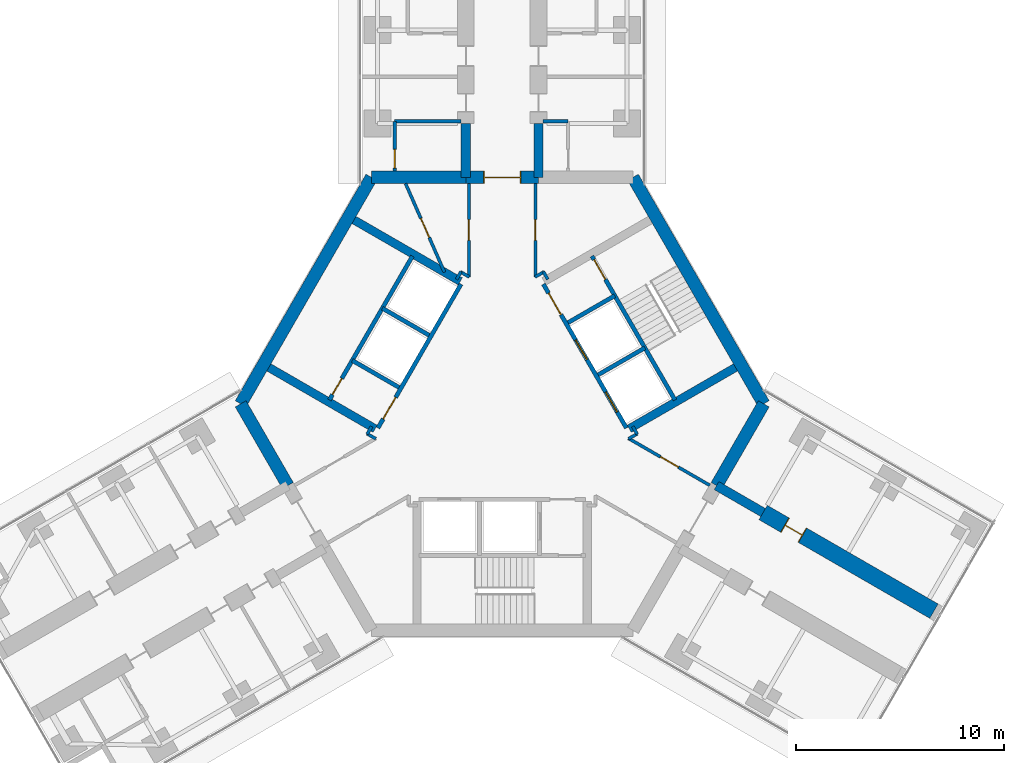
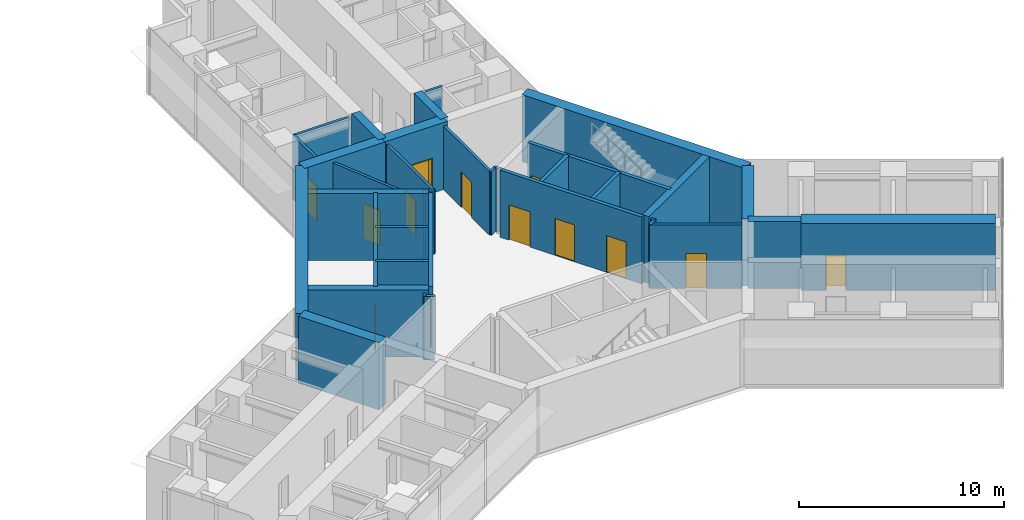
# One storey, part 19 of 22: 36 walls, 13 doors, 13 openings.
"""IFC4 building model written with IfcOpenShell, lengths in metres."""

from ifc_helpers import new_model, si_unit, direction, frame, frame_2d, origin, place, context, subcontext, project, spatial, rectangle, extrude, material, layer, layer_set, type_object, element, fill, save


model = new_model("IFC4")

# Units and contexts
model_context = context("Model", 3, precision=1e-05, world=origin(), true_north=direction((0.0, 1.0)))
body_context = subcontext(model_context, "Body", "Model", "MODEL_VIEW")
ifc_project = project(units=[si_unit("LENGTHUNIT", "METRE"), si_unit("AREAUNIT", "SQUARE_METRE"), si_unit("VOLUMEUNIT", "CUBIC_METRE"), si_unit("PLANEANGLEUNIT", "RADIAN"), si_unit("MASSUNIT", "GRAM", prefix="KILO")], contexts=[model_context])

# Site, building, storey
site_placement = place(None, origin())
site = spatial("IfcSite", under=ifc_project, at=site_placement, CompositionType="ELEMENT")
building_placement = place(site_placement, origin())
building = spatial("IfcBuilding", under=site, at=building_placement, Name="Upepo Twin Towers", CompositionType="ELEMENT")
storey_placement = place(building_placement, frame((0.0, 0.0, 125.5)))
storey = spatial("IfcBuildingStorey", under=building, at=storey_placement, Name="L30", CompositionType="ELEMENT", Elevation=125.5)

# Walls
ifc_material_1 = material(Name="Concrete C60/75", Category="concrete")
ifc_layer_1 = layer(ifc_material_1, 0.449951171875)
ifc_layer_set_1 = layer_set([ifc_layer_1], Name="Concrete C60/75")
wall_type_1 = type_object("IfcWallType", Name="Buttress wall 450 RC", PredefinedType="SHEAR", material=ifc_layer_set_1)
for number, where, z_axis, x_axis, name in (
    (1, (56.75, -7.091552734375, 0.0), (0.0, 0.0, 1.0), (0.0, 1.0, 0.0), "T2 wing A buttress wall L"),
    (2, (60.25, -7.091552734375, 0.0), (0.0, 0.0, 1.0), (0.0, 1.0, 0.0), "T2 wing A buttress wall R"),
):
    element("IfcWall", number, at=place(storey_placement, frame(where, z_axis=z_axis, x_axis=x_axis)), inside=storey, type_object=wall_type_1, Name=name, PredefinedType="SHEAR", context=body_context, shape_type="SweptSolid", body=[
        extrude(rectangle(XDim=2.591552734375, YDim=0.449951171875, at=frame_2d((1.2958984375, 0.0))), origin(), (0.0, 0.0, 1.0), 4.0),
    ])
wall_1_placement = place(storey_placement, frame((68.82177734375, -21.938720703125, 0.0), z_axis=(0.0, 0.0, 1.0), x_axis=(0.866072649678, -0.499918158782, 0.0)))
element("IfcWall", 3, at=wall_1_placement, inside=storey, type_object=wall_type_1, Name="T2 wing C buttress wall L", PredefinedType="SHEAR", context=body_context, shape_type="SweptSolid", body=[
    extrude(rectangle(XDim=2.591796875, YDim=0.449951171875, at=frame_2d((1.2958984375, 0.0))), origin(), (0.0, 0.0, 1.0), 4.0),
])

# Wall, opening, door
ifc_material_2 = material(Name="Concrete C60/75", Category="concrete")
ifc_layer_2 = layer(ifc_material_2, 0.800048828125)
ifc_layer_set_2 = layer_set([ifc_layer_2], Name="Concrete C60/75")
wall_type_2 = type_object("IfcWallType", Name="Buttress wall 800 RC", PredefinedType="SHEAR", material=ifc_layer_set_2)
wall_2_placement = place(storey_placement, frame((71.06640625, -23.234375, 0.0), z_axis=(0.0, 0.0, 1.0), x_axis=(0.86602681393, -0.499997557548, 0.0)))
wall_2 = element("IfcWall", 4, at=wall_2_placement, inside=storey, type_object=wall_type_2, Name="T2 wing C buttress wall L part 2", PredefinedType="SHEAR", context=body_context, shape_type="SweptSolid", body=[
    extrude(rectangle(XDim=9.5, YDim=0.800048828125, at=frame_2d((4.75, 0.0))), origin(), (0.0, 0.0, 1.0), 4.0),
])
opening_1_placement = place(wall_2_placement, frame((1.199951171875, 0.0, 0.0)))
opening_1 = element("IfcOpeningElement", 5, at=opening_1_placement, cuts=wall_2, Name="Opening D1", PredefinedType="OPENING", context=body_context, shape_type="SweptSolid", body=[
    extrude(rectangle(XDim=1.0, YDim=2.10009765625, at=frame_2d((0.5, 1.050048828125))), frame((0.0, 0.409912109375, 0.0), z_axis=(0.0, -1.0, 0.0), x_axis=(1.0, 0.0, 0.0)), (0.0, 0.0, 1.0), 0.820068359375),
])
ifc_material_3 = material(Name="Timber doorset", Category="wood")
door_type_1 = type_object("IfcDoorType", Name="Room door 1000 FD30", OperationType="SINGLE_SWING_LEFT", PredefinedType="DOOR", material=ifc_material_3)
door_1_placement = place(opening_1_placement, origin())
door_1 = element("IfcDoor", 6, at=door_1_placement, inside=storey, type_object=door_type_1, Name="T2 L30 staff office door", OperationType="SINGLE_SWING_LEFT", OverallHeight=2.10009765625, OverallWidth=1.0, PredefinedType="DOOR", context=body_context, shape_type="SweptSolid", body=[
    extrude(rectangle(XDim=0.92, YDim=2.06009765625, at=frame_2d((0.5, 1.030029296875))), frame((0.0, 0.02490234375, 0.0), z_axis=(0.0, -1.0, 0.0), x_axis=(1.0, 0.0, 0.0)), (0.0, 0.0, 1.0), 0.050048828125),
    extrude(rectangle(XDim=0.04, YDim=2.10009765625, at=frame_2d((0.02001953125, 1.050048828125))), frame((0.0, 0.39990234375, 0.0), z_axis=(0.0, -1.0, 0.0), x_axis=(1.0, 0.0, 0.0)), (0.0, 0.0, 1.0), 0.799560546875),
    extrude(rectangle(XDim=0.04, YDim=2.10009765625, at=frame_2d((0.97998046875, 1.050048828125))), frame((0.0, 0.39990234375, 0.0), z_axis=(0.0, -1.0, 0.0), x_axis=(1.0, 0.0, 0.0)), (0.0, 0.0, 1.0), 0.799560546875),
    extrude(rectangle(XDim=0.92, YDim=0.04, at=frame_2d((0.5, 2.080078125))), frame((0.0, 0.39990234375, 0.0), z_axis=(0.0, -1.0, 0.0), x_axis=(1.0, 0.0, 0.0)), (0.0, 0.0, 1.0), 0.799560546875),
])
fill(opening_1, door_1)

ifc_material_4 = material(Name="Concrete C60/75", Category="concrete")
ifc_layer_3 = layer(ifc_material_4, 0.60009765625)
ifc_layer_set_3 = layer_set([ifc_layer_3], Name="Concrete C60/75")
wall_type_3 = type_object("IfcWallType", Name="Core wall 600 RC", PredefinedType="SHEAR", material=ifc_layer_set_3)
wall_3_placement = place(storey_placement, frame((60.25, -7.091552734375, 0.0), z_axis=(0.0, 0.0, 1.0), x_axis=(-1.0, 0.0, 0.0)))
wall_3 = element("IfcWall", 7, at=wall_3_placement, inside=storey, type_object=wall_type_3, Name="T2 core wall 000", PredefinedType="SHEAR", context=body_context, shape_type="SweptSolid", body=[
    extrude(rectangle(XDim=3.5, YDim=0.60009765625, at=frame_2d((1.75, 0.0))), origin(), (0.0, 0.0, 1.0), 4.0),
])
opening_2_placement = place(wall_3_placement, frame((0.85009765625, 0.0, 0.0)))
opening_2 = element("IfcOpeningElement", 8, at=opening_2_placement, cuts=wall_3, Name="Opening D2", PredefinedType="OPENING", context=body_context, shape_type="SweptSolid", body=[
    extrude(rectangle(XDim=1.800048828125, YDim=2.10009765625, at=frame_2d((0.89990234375, 1.050048828125))), frame((0.0, 0.31005859375, 0.0), z_axis=(0.0, -1.0, 0.0), x_axis=(1.0, 0.0, 0.0)), (0.0, 0.0, 1.0), 0.6201171875),
])
ifc_material_5 = material(Name="Timber doorset", Category="wood")
door_type_2 = type_object("IfcDoorType", Name="Corridor double door 1800 FD60", OperationType="DOUBLE_DOOR_DOUBLE_SWING", PredefinedType="DOOR", material=ifc_material_5)
door_2_placement = place(opening_2_placement, origin())
door_2 = element("IfcDoor", 9, at=door_2_placement, inside=storey, type_object=door_type_2, Name="T2 L30 wing A corridor door", OperationType="DOUBLE_DOOR_DOUBLE_SWING", OverallHeight=2.10009765625, OverallWidth=1.800048828125, PredefinedType="DOOR", context=body_context, shape_type="SweptSolid", body=[
    extrude(rectangle(XDim=1.720048828125, YDim=2.06009765625, at=frame_2d((0.89990234375, 1.030029296875))), frame((0.0, 0.02490234375, 0.0), z_axis=(0.0, -1.0, 0.0), x_axis=(1.0, 0.0, 0.0)), (0.0, 0.0, 1.0), 0.050048828125),
    extrude(rectangle(XDim=0.04, YDim=2.10009765625, at=frame_2d((0.02001953125, 1.050048828125))), frame((0.0, 0.2998046875, 0.0), z_axis=(0.0, -1.0, 0.0), x_axis=(1.0, 0.0, 0.0)), (0.0, 0.0, 1.0), 0.599609375),
    extrude(rectangle(XDim=0.04, YDim=2.10009765625, at=frame_2d((1.780029296875, 1.050048828125))), frame((0.0, 0.2998046875, 0.0), z_axis=(0.0, -1.0, 0.0), x_axis=(1.0, 0.0, 0.0)), (0.0, 0.0, 1.0), 0.599609375),
    extrude(rectangle(XDim=1.720048828125, YDim=0.04, at=frame_2d((0.89990234375, 2.080078125))), frame((0.0, 0.2998046875, 0.0), z_axis=(0.0, -1.0, 0.0), x_axis=(1.0, 0.0, 0.0)), (0.0, 0.0, 1.0), 0.599609375),
])
fill(opening_2, door_2)

# Walls
wall_4_placement = place(storey_placement, frame((56.75, -7.091552734375, 0.0), z_axis=(0.0, 0.0, 1.0), x_axis=(-1.0, 0.0, 0.0)))
element("IfcWall", 10, at=wall_4_placement, inside=storey, type_object=wall_type_3, Name="T2 core wall 000 L", PredefinedType="SHEAR", context=body_context, shape_type="SweptSolid", body=[
    extrude(rectangle(XDim=4.5478515625, YDim=0.60009765625, at=frame_2d((2.27392578125, 0.0))), origin(), (0.0, 0.0, 1.0), 4.0),
])
wall_5_placement = place(storey_placement, frame((52.2021484375, -7.091552734375, 0.0), z_axis=(0.0, 0.0, 1.0), x_axis=(-0.500005998175, -0.866021940709, 0.0)))
element("IfcWall", 11, at=wall_5_placement, inside=storey, type_object=wall_type_3, Name="T2 core wall 060", PredefinedType="SHEAR", context=body_context, shape_type="SweptSolid", body=[
    extrude(rectangle(XDim=12.595947265625, YDim=0.60009765625, at=frame_2d((6.2978515625, 0.0))), origin(), (0.0, 0.0, 1.0), 4.0),
])
for number, where, z_axis, x_axis, name in (
    (12, (45.904052734375, -18.0, 0.0), (0.0, 0.0, 1.0), (0.500024481964, -0.866011268655, 0.0), "T2 core wall 120 R"),
    (13, (68.82177734375, -21.938720703125, 0.0), (0.0, 0.0, 1.0), (0.500024481964, 0.866011268655, 0.0), "T2 core wall 240 L"),
):
    element("IfcWall", number, at=place(storey_placement, frame(where, z_axis=z_axis, x_axis=x_axis)), inside=storey, type_object=wall_type_3, Name=name, PredefinedType="SHEAR", context=body_context, shape_type="SweptSolid", body=[
        extrude(rectangle(XDim=4.548095703125, YDim=0.60009765625, at=frame_2d((2.27392578125, 0.0))), origin(), (0.0, 0.0, 1.0), 4.0),
    ])
wall_6_placement = place(storey_placement, frame((71.095947265625, -18.0, 0.0), z_axis=(0.0, 0.0, 1.0), x_axis=(-0.500005998175, 0.866021940709, 0.0)))
element("IfcWall", 14, at=wall_6_placement, inside=storey, type_object=wall_type_3, Name="T2 core wall 300", PredefinedType="SHEAR", context=body_context, shape_type="SweptSolid", body=[
    extrude(rectangle(XDim=12.595947265625, YDim=0.60009765625, at=frame_2d((6.2978515625, 0.0))), origin(), (0.0, 0.0, 1.0), 4.0),
])

# Wall, opening, door
ifc_material_6 = material(Name="Concrete C40/50", Category="concrete")
ifc_layer_4 = layer(ifc_material_6, 0.199951171875)
ifc_layer_set_4 = layer_set([ifc_layer_4], Name="Concrete C40/50")
wall_type_4 = type_object("IfcWallType", Name="Shaft wall 200 RC", PredefinedType="SHEAR", material=ifc_layer_set_4)
wall_7_placement = place(storey_placement, frame((56.516357421875, -12.23583984375, 0.0), z_axis=(0.0, 0.0, 1.0), x_axis=(-0.49999894854, -0.866026010844, 0.0)))
wall_7 = element("IfcWall", 15, at=wall_7_placement, inside=storey, type_object=wall_type_4, Name="T2 core W60 front wall", PredefinedType="SHEAR", context=body_context, shape_type="SweptSolid", body=[
    extrude(rectangle(XDim=8.0, YDim=0.199951171875, at=frame_2d((4.0, 0.0))), origin(), (0.0, 0.0, 1.0), 4.0),
])
opening_3_placement = place(wall_7_placement, frame((6.300048828125, 0.0, 0.0)))
opening_3 = element("IfcOpeningElement", 16, at=opening_3_placement, cuts=wall_7, Name="Opening D4", PredefinedType="OPENING", context=body_context, shape_type="SweptSolid", body=[
    extrude(rectangle(XDim=1.199951171875, YDim=2.10009765625, at=frame_2d((0.60009765625, 1.050048828125))), frame((0.0, 0.10986328125, 0.0), z_axis=(0.0, -1.0, 0.0), x_axis=(1.0, 0.0, 0.0)), (0.0, 0.0, 1.0), 0.219970703125),
])
ifc_material_7 = material(Name="Timber doorset", Category="wood")
door_type_3 = type_object("IfcDoorType", Name="Lobby door 1200 FD60", OperationType="SINGLE_SWING_LEFT", PredefinedType="DOOR", material=ifc_material_7)
door_3_placement = place(opening_3_placement, origin())
door_3 = element("IfcDoor", 17, at=door_3_placement, inside=storey, type_object=door_type_3, Name="T2 L30 W60 lobby door", OperationType="SINGLE_SWING_RIGHT", OverallHeight=2.10009765625, OverallWidth=1.199951171875, PredefinedType="DOOR", context=body_context, shape_type="SweptSolid", body=[
    extrude(rectangle(XDim=1.199951171875, YDim=2.10009765625, at=frame_2d((0.60009765625, 1.050048828125))), frame((0.0, 0.02490234375, 0.0), z_axis=(0.0, -1.0, 0.0), x_axis=(1.0, 0.0, 0.0)), (0.0, 0.0, 1.0), 0.050048828125),
])
fill(opening_3, door_3)

# Walls
for number, where, z_axis, x_axis, name in (
    (18, (54.979736328125, -14.697265625, 0.0), (0.0, 0.0, 1.0), (-0.866062058628, 0.499936506574, 0.0), "T2 core W60 shaft divider"),
    (19, (53.52978515625, -17.208740234375, 0.0), (0.0, 0.0, 1.0), (-0.866062058628, 0.499936506574, 0.0), "T2 core W60 lobby wall"),
):
    element("IfcWall", number, at=place(storey_placement, frame(where, z_axis=z_axis, x_axis=x_axis)), inside=storey, type_object=wall_type_4, Name=name, PredefinedType="SHEAR", context=body_context, shape_type="SweptSolid", body=[
        extrude(rectangle(XDim=2.599853515625, YDim=0.199951171875, at=frame_2d((1.2998046875, 0.0))), origin(), (0.0, 0.0, 1.0), 4.0),
    ])

# Wall, opening, door
wall_8_placement = place(storey_placement, frame((54.177978515625, -10.885986328125, 0.0), z_axis=(0.0, 0.0, 1.0), x_axis=(-0.49999894854, -0.866026010844, 0.0)))
wall_8 = element("IfcWall", 20, at=wall_8_placement, inside=storey, type_object=wall_type_4, Name="T2 core W60 stair wall", PredefinedType="SHEAR", context=body_context, shape_type="SweptSolid", body=[
    extrude(rectangle(XDim=8.0, YDim=0.199951171875, at=frame_2d((4.0, 0.0))), origin(), (0.0, 0.0, 1.0), 4.0),
])
opening_4_placement = place(wall_8_placement, frame((6.800048828125, 0.0, 0.0)))
opening_4 = element("IfcOpeningElement", 21, at=opening_4_placement, cuts=wall_8, Name="Opening D9", PredefinedType="OPENING", context=body_context, shape_type="SweptSolid", body=[
    extrude(rectangle(XDim=0.89990234375, YDim=2.10009765625, at=frame_2d((0.449951171875, 1.050048828125))), frame((0.0, 0.10986328125, 0.0), z_axis=(0.0, -1.0, 0.0), x_axis=(1.0, 0.0, 0.0)), (0.0, 0.0, 1.0), 0.219970703125),
])
ifc_material_8 = material(Name="Timber doorset", Category="wood")
door_type_4 = type_object("IfcDoorType", Name="Riser door 900 FD60", OperationType="SINGLE_SWING_LEFT", PredefinedType="DOOR", material=ifc_material_8)
door_4_placement = place(opening_4_placement, origin())
door_4 = element("IfcDoor", 22, at=door_4_placement, inside=storey, type_object=door_type_4, Name="T2 L30 riser door", OperationType="SINGLE_SWING_RIGHT", OverallHeight=2.10009765625, OverallWidth=0.89990234375, PredefinedType="DOOR", context=body_context, shape_type="SweptSolid", body=[
    extrude(rectangle(XDim=0.89990234375, YDim=2.10009765625, at=frame_2d((0.449951171875, 1.050048828125))), frame((0.0, 0.02490234375, 0.0), z_axis=(0.0, -1.0, 0.0), x_axis=(1.0, 0.0, 0.0)), (0.0, 0.0, 1.0), 0.050048828125),
])
fill(opening_4, door_4)

# Wall, openings, doors
wall_9_placement = place(storey_placement, frame((64.483642578125, -19.1640625, 0.0), z_axis=(0.0, 0.0, 1.0), x_axis=(-0.49999894854, 0.866026010844, 0.0)))
wall_9 = element("IfcWall", 23, at=wall_9_placement, inside=storey, type_object=wall_type_4, Name="T2 core W300 front wall", PredefinedType="SHEAR", context=body_context, shape_type="SweptSolid", body=[
    extrude(rectangle(XDim=8.0, YDim=0.199951171875, at=frame_2d((4.0, 0.0))), origin(), (0.0, 0.0, 1.0), 4.0),
])
opening_5_placement = place(wall_9_placement, frame((6.300048828125, 0.0, 0.0)))
opening_5 = element("IfcOpeningElement", 24, at=opening_5_placement, cuts=wall_9, Name="Opening D4", PredefinedType="OPENING", context=body_context, shape_type="SweptSolid", body=[
    extrude(rectangle(XDim=1.199951171875, YDim=2.10009765625, at=frame_2d((0.60009765625, 1.050048828125))), frame((0.0, 0.10986328125, 0.0), z_axis=(0.0, -1.0, 0.0), x_axis=(1.0, 0.0, 0.0)), (0.0, 0.0, 1.0), 0.219970703125),
])
opening_6_placement = place(wall_9_placement, frame((0.89990234375, 0.0, 0.0)))
opening_6 = element("IfcOpeningElement", 25, at=opening_6_placement, cuts=wall_9, Name="Opening LD1", PredefinedType="OPENING", context=body_context, shape_type="SweptSolid", body=[
    extrude(rectangle(XDim=1.10009765625, YDim=2.199951171875, at=frame_2d((0.550048828125, 1.10009765625))), frame((0.0, 0.10986328125, 0.0), z_axis=(0.0, -1.0, 0.0), x_axis=(1.0, 0.0, 0.0)), (0.0, 0.0, 1.0), 0.219970703125),
])
opening_7_placement = place(wall_9_placement, frame((3.800048828125, 0.0, 0.0)))
opening_7 = element("IfcOpeningElement", 26, at=opening_7_placement, cuts=wall_9, Name="Opening LD1", PredefinedType="OPENING", context=body_context, shape_type="SweptSolid", body=[
    extrude(rectangle(XDim=1.10009765625, YDim=2.199951171875, at=frame_2d((0.550048828125, 1.10009765625))), frame((0.0, 0.10986328125, 0.0), z_axis=(0.0, -1.0, 0.0), x_axis=(1.0, 0.0, 0.0)), (0.0, 0.0, 1.0), 0.219970703125),
])
ifc_material_9 = material(Name="Steel doorset", Category="steel")
door_type_5 = type_object("IfcDoorType", Name="Lift landing door 1100", OperationType="DOUBLE_DOOR_SLIDING", PredefinedType="DOOR", material=ifc_material_9)
door_5_placement = place(opening_6_placement, origin())
door_5 = element("IfcDoor", 27, at=door_5_placement, inside=storey, type_object=door_type_5, Name="T2 L30 lift ML1 landing door", OperationType="DOUBLE_DOOR_SLIDING", OverallHeight=2.199951171875, OverallWidth=1.10009765625, PredefinedType="DOOR", context=body_context, shape_type="SweptSolid", body=[
    extrude(rectangle(XDim=1.10009765625, YDim=2.199951171875, at=frame_2d((0.550048828125, 1.10009765625))), frame((0.0, 0.02490234375, 0.0), z_axis=(0.0, -1.0, 0.0), x_axis=(1.0, 0.0, 0.0)), (0.0, 0.0, 1.0), 0.050048828125),
])
fill(opening_6, door_5)
door_6_placement = place(opening_7_placement, origin())
door_6 = element("IfcDoor", 28, at=door_6_placement, inside=storey, type_object=door_type_5, Name="T2 L30 lift ML2 landing door", OperationType="DOUBLE_DOOR_SLIDING", OverallHeight=2.199951171875, OverallWidth=1.10009765625, PredefinedType="DOOR", context=body_context, shape_type="SweptSolid", body=[
    extrude(rectangle(XDim=1.10009765625, YDim=2.199951171875, at=frame_2d((0.550048828125, 1.10009765625))), frame((0.0, 0.02490234375, 0.0), z_axis=(0.0, -1.0, 0.0), x_axis=(1.0, 0.0, 0.0)), (0.0, 0.0, 1.0), 0.050048828125),
])
fill(opening_7, door_6)
door_7_placement = place(opening_5_placement, origin())
door_7 = element("IfcDoor", 29, at=door_7_placement, inside=storey, type_object=door_type_3, Name="T2 L30 W300 lobby door", OperationType="SINGLE_SWING_RIGHT", OverallHeight=2.10009765625, OverallWidth=1.199951171875, PredefinedType="DOOR", context=body_context, shape_type="SweptSolid", body=[
    extrude(rectangle(XDim=1.199951171875, YDim=2.10009765625, at=frame_2d((0.60009765625, 1.050048828125))), frame((0.0, 0.02490234375, 0.0), z_axis=(0.0, -1.0, 0.0), x_axis=(1.0, 0.0, 0.0)), (0.0, 0.0, 1.0), 0.050048828125),
])
fill(opening_5, door_7)

# Walls
wall_10_placement = place(storey_placement, frame((63.120361328125, -16.6025390625, 0.0), z_axis=(0.0, 0.0, 1.0), x_axis=(0.866062058628, 0.499936506574, 0.0)))
element("IfcWall", 30, at=wall_10_placement, inside=storey, type_object=wall_type_4, Name="T2 core W300 shaft divider", PredefinedType="SHEAR", context=body_context, shape_type="SweptSolid", body=[
    extrude(rectangle(XDim=2.599853515625, YDim=0.199951171875, at=frame_2d((1.2998046875, 0.0))), origin(), (0.0, 0.0, 1.0), 4.0),
])
wall_11_placement = place(storey_placement, frame((61.67041015625, -14.091064453125, 0.0), z_axis=(0.0, 0.0, 1.0), x_axis=(0.86603858612, 0.49997716683, 0.0)))
element("IfcWall", 31, at=wall_11_placement, inside=storey, type_object=wall_type_4, Name="T2 core W300 lobby wall", PredefinedType="SHEAR", context=body_context, shape_type="SweptSolid", body=[
    extrude(rectangle(XDim=2.599609375, YDim=0.199951171875, at=frame_2d((1.2998046875, 0.0))), origin(), (0.0, 0.0, 1.0), 4.0),
])

# Wall, opening, door
wall_12_placement = place(storey_placement, frame((66.822021484375, -17.814208984375, 0.0), z_axis=(0.0, 0.0, 1.0), x_axis=(-0.49999894854, 0.866026010844, 0.0)))
wall_12 = element("IfcWall", 32, at=wall_12_placement, inside=storey, type_object=wall_type_4, Name="T2 core W300 stair wall", PredefinedType="SHEAR", context=body_context, shape_type="SweptSolid", body=[
    extrude(rectangle(XDim=8.0, YDim=0.199951171875, at=frame_2d((4.0, 0.0))), origin(), (0.0, 0.0, 1.0), 4.0),
])
opening_8_placement = place(wall_12_placement, frame((6.699951171875, 0.0, 0.0)))
opening_8 = element("IfcOpeningElement", 33, at=opening_8_placement, cuts=wall_12, Name="Opening D3", PredefinedType="OPENING", context=body_context, shape_type="SweptSolid", body=[
    extrude(rectangle(XDim=1.10009765625, YDim=2.10009765625, at=frame_2d((0.550048828125, 1.050048828125))), frame((0.0, 0.10986328125, 0.0), z_axis=(0.0, -1.0, 0.0), x_axis=(1.0, 0.0, 0.0)), (0.0, 0.0, 1.0), 0.219970703125),
])
ifc_material_10 = material(Name="Timber doorset", Category="wood")
door_type_6 = type_object("IfcDoorType", Name="Stair door 1100 FD60", OperationType="SINGLE_SWING_LEFT", PredefinedType="DOOR", material=ifc_material_10)
door_8_placement = place(opening_8_placement, origin())
door_8 = element("IfcDoor", 34, at=door_8_placement, inside=storey, type_object=door_type_6, Name="T2 L30 stair door", OperationType="SINGLE_SWING_RIGHT", OverallHeight=2.10009765625, OverallWidth=1.10009765625, PredefinedType="DOOR", context=body_context, shape_type="SweptSolid", body=[
    extrude(rectangle(XDim=1.10009765625, YDim=2.10009765625, at=frame_2d((0.550048828125, 1.050048828125))), frame((0.0, 0.02490234375, 0.0), z_axis=(0.0, -1.0, 0.0), x_axis=(1.0, 0.0, 0.0)), (0.0, 0.0, 1.0), 0.050048828125),
])
fill(opening_8, door_8)

# Walls
ifc_material_11 = material(Name="Concrete C40/50", Category="concrete")
ifc_layer_5 = layer(ifc_material_11, 0.39990234375)
ifc_layer_set_5 = layer_set([ifc_layer_5], Name="Concrete C40/50")
wall_type_5 = type_object("IfcWallType", Name="Shaft wall 400 RC", PredefinedType="SHEAR", material=ifc_layer_set_5)
wall_13_placement = place(storey_placement, frame((52.379638671875, -19.20068359375, 0.0), z_axis=(0.0, 0.0, 1.0), x_axis=(-0.866027317282, 0.49999668571, 0.0)))
element("IfcWall", 35, at=wall_13_placement, inside=storey, type_object=wall_type_5, Name="T2 core W60 side wall N", PredefinedType="SHEAR", context=body_context, shape_type="SweptSolid", body=[
    extrude(rectangle(XDim=5.908203125, YDim=0.39990234375, at=frame_2d((2.9541015625, 0.0))), origin(), (0.0, 0.0, 1.0), 4.0),
])
wall_14_placement = place(storey_placement, frame((56.479736328125, -12.099365234375, 0.0), z_axis=(0.0, 0.0, 1.0), x_axis=(-0.866009424208, 0.500027676417, 0.0)))
element("IfcWall", 36, at=wall_14_placement, inside=storey, type_object=wall_type_5, Name="T2 core W60 side wall S", PredefinedType="SHEAR", context=body_context, shape_type="SweptSolid", body=[
    extrude(rectangle(XDim=5.908447265625, YDim=0.39990234375, at=frame_2d((2.9541015625, 0.0))), origin(), (0.0, 0.0, 1.0), 4.0),
])
wall_15_placement = place(storey_placement, frame((64.620361328125, -19.20068359375, 0.0), z_axis=(0.0, 0.0, 1.0), x_axis=(0.866027317282, 0.49999668571, 0.0)))
element("IfcWall", 37, at=wall_15_placement, inside=storey, type_object=wall_type_5, Name="T2 core W300 side wall S", PredefinedType="SHEAR", context=body_context, shape_type="SweptSolid", body=[
    extrude(rectangle(XDim=5.908203125, YDim=0.39990234375, at=frame_2d((2.9541015625, 0.0))), origin(), (0.0, 0.0, 1.0), 4.0),
])

# Wall, opening, door
ifc_material_12 = material(Name="Gypsum board on steel studs", Category="steel")
ifc_layer_6 = layer(ifc_material_12, 0.14990234375)
ifc_layer_set_6 = layer_set([ifc_layer_6], Name="Teaching partition 150 acoustic")
wall_type_6 = type_object("IfcWallType", Name="Teaching partition 150 acoustic", PredefinedType="PARTITIONING", material=ifc_layer_set_6)
wall_16_placement = place(storey_placement, frame((53.324951171875, -6.7919921875, 0.0), z_axis=(0.0, 0.0, 1.0), x_axis=(0.0, 1.0, 0.0)))
wall_16 = element("IfcWall", 38, at=wall_16_placement, inside=storey, type_object=wall_type_6, Name="T2 WC bay partition AL at 11.21", PredefinedType="PARTITIONING", context=body_context, shape_type="SweptSolid", body=[
    extrude(rectangle(XDim=2.39990234375, YDim=0.14990234375, at=frame_2d((1.199951171875, 0.0))), origin(), (0.0, 0.0, 1.0), 3.800048828125),
])
opening_9_placement = place(wall_16_placement, frame((0.14990234375, 0.0, 0.0)))
opening_9 = element("IfcOpeningElement", 39, at=opening_9_placement, cuts=wall_16, Name="Opening D14", PredefinedType="OPENING", context=body_context, shape_type="SweptSolid", body=[
    extrude(rectangle(XDim=0.89990234375, YDim=2.10009765625, at=frame_2d((0.449951171875, 1.050048828125))), frame((0.0, 0.0849609375, 0.0), z_axis=(0.0, -1.0, 0.0), x_axis=(1.0, 0.0, 0.0)), (0.0, 0.0, 1.0), 0.169921875),
])
ifc_material_13 = material(Name="Timber doorset", Category="wood")
door_type_7 = type_object("IfcDoorType", Name="Office door 900 FD30", OperationType="SINGLE_SWING_LEFT", PredefinedType="DOOR", material=ifc_material_13)
door_9_placement = place(opening_9_placement, origin())
door_9 = element("IfcDoor", 40, at=door_9_placement, inside=storey, type_object=door_type_7, Name="T2 L30 WC bay inner room door", OperationType="SINGLE_SWING_LEFT", OverallHeight=2.10009765625, OverallWidth=0.89990234375, PredefinedType="DOOR", context=body_context, shape_type="SweptSolid", body=[
    extrude(rectangle(XDim=0.89990234375, YDim=2.10009765625, at=frame_2d((0.449951171875, 1.050048828125))), frame((0.0, 0.02490234375, 0.0), z_axis=(0.0, -1.0, 0.0), x_axis=(1.0, 0.0, 0.0)), (0.0, 0.0, 1.0), 0.050048828125),
])
fill(opening_9, door_9)

# Walls
wall_17_placement = place(storey_placement, frame((56.52490234375, -4.39208984375, 0.0), z_axis=(0.0, 0.0, 1.0), x_axis=(-1.0, 0.0, 0.0)))
element("IfcWall", 41, at=wall_17_placement, inside=storey, type_object=wall_type_6, Name="T2 WC bay partition AL end at 13.61", PredefinedType="PARTITIONING", context=body_context, shape_type="SweptSolid", body=[
    extrude(rectangle(XDim=3.199951171875, YDim=0.14990234375, at=frame_2d((1.60009765625, 0.0))), origin(), (0.0, 0.0, 1.0), 3.800048828125),
])
wall_18_placement = place(storey_placement, frame((60.47509765625, -4.39208984375, 0.0), z_axis=(0.0, 0.0, 1.0), x_axis=(1.0, 0.0, 0.0)))
element("IfcWall", 42, at=wall_18_placement, inside=storey, type_object=wall_type_6, Name="T2 WC bay partition AR end at 13.61", PredefinedType="PARTITIONING", context=body_context, shape_type="SweptSolid", body=[
    extrude(rectangle(XDim=1.199951171875, YDim=0.14990234375, at=frame_2d((0.60009765625, 0.0))), origin(), (0.0, 0.0, 1.0), 3.800048828125),
])
wall_19_placement = place(storey_placement, frame((52.417236328125, -19.684326171875, 0.0), z_axis=(0.0, 0.0, 1.0), x_axis=(-0.865831790172, 0.50033519877, 0.0)))
element("IfcWall", 43, at=wall_19_placement, inside=storey, type_object=wall_type_6, Name="T2 core room partition 4", PredefinedType="PARTITIONING", context=body_context, shape_type="SweptSolid", body=[
    extrude(rectangle(XDim=0.494384765625, YDim=0.14990234375, at=frame_2d((0.2470703125, 0.0))), origin(), (0.0, 0.0, 1.0), 3.800048828125),
])
for number, where, z_axis, x_axis, name in (
    (44, (51.99658203125, -19.46435546875, 0.0), (0.0, 0.0, 1.0), (0.499804398801, 0.866138304741, 0.0), "T2 core room partition 5"),
    (45, (56.301513671875, -12.0078125, 0.0), (0.0, 0.0, 1.0), (0.500230298122, 0.865892400268, 0.0), "T2 core room partition 6"),
):
    element("IfcWall", number, at=place(storey_placement, frame(where, z_axis=z_axis, x_axis=x_axis)), inside=storey, type_object=wall_type_6, Name=name, PredefinedType="PARTITIONING", context=body_context, shape_type="SweptSolid", body=[
        extrude(rectangle(XDim=0.429931640625, YDim=0.14990234375, at=frame_2d((0.21484375, 0.0))), origin(), (0.0, 0.0, 1.0), 3.800048828125),
    ])
wall_20_placement = place(storey_placement, frame((56.4892578125, -11.642822265625, 0.0), z_axis=(0.0, 0.0, 1.0), x_axis=(0.865831790172, -0.50033519877, 0.0)))
element("IfcWall", 46, at=wall_20_placement, inside=storey, type_object=wall_type_6, Name="T2 core room partition 7", PredefinedType="PARTITIONING", context=body_context, shape_type="SweptSolid", body=[
    extrude(rectangle(XDim=0.494384765625, YDim=0.14990234375, at=frame_2d((0.2470703125, 0.0))), origin(), (0.0, 0.0, 1.0), 3.800048828125),
])

# Wall, opening, door
wall_21_placement = place(storey_placement, frame((56.89990234375, -11.900146484375, 0.0), z_axis=(0.0, 0.0, 1.0), x_axis=(0.0, 1.0, 0.0)))
wall_21 = element("IfcWall", 47, at=wall_21_placement, inside=storey, type_object=wall_type_6, Name="T2 core room partition 8", PredefinedType="PARTITIONING", context=body_context, shape_type="SweptSolid", body=[
    extrude(rectangle(XDim=4.5185546875, YDim=0.14990234375, at=frame_2d((2.25927734375, 0.0))), origin(), (0.0, 0.0, 1.0), 3.800048828125),
])
opening_10_placement = place(wall_21_placement, frame((1.769287109375, 0.0, 0.0)))
opening_10 = element("IfcOpeningElement", 48, at=opening_10_placement, cuts=wall_21, Name="Opening D1", PredefinedType="OPENING", context=body_context, shape_type="SweptSolid", body=[
    extrude(rectangle(XDim=1.0, YDim=2.10009765625, at=frame_2d((0.5, 1.050048828125))), frame((0.0, 0.0849609375, 0.0), z_axis=(0.0, -1.0, 0.0), x_axis=(1.0, 0.0, 0.0)), (0.0, 0.0, 1.0), 0.169921875),
])
door_10_placement = place(opening_10_placement, origin())
door_10 = element("IfcDoor", 49, at=door_10_placement, inside=storey, type_object=door_type_1, Name="T2 L30 core room door K7", OperationType="SINGLE_SWING_RIGHT", OverallHeight=2.10009765625, OverallWidth=1.0, PredefinedType="DOOR", context=body_context, shape_type="SweptSolid", body=[
    extrude(rectangle(XDim=1.0, YDim=2.10009765625, at=frame_2d((0.5, 1.050048828125))), frame((0.0, 0.02490234375, 0.0), z_axis=(0.0, -1.0, 0.0), x_axis=(1.0, 0.0, 0.0)), (0.0, 0.0, 1.0), 0.050048828125),
])
fill(opening_10, door_10)

wall_22_placement = place(storey_placement, frame((60.10009765625, -7.381591796875, 0.0), z_axis=(0.0, 0.0, 1.0), x_axis=(0.0, -1.0, 0.0)))
wall_22 = element("IfcWall", 50, at=wall_22_placement, inside=storey, type_object=wall_type_6, Name="T2 core room partition 9", PredefinedType="PARTITIONING", context=body_context, shape_type="SweptSolid", body=[
    extrude(rectangle(XDim=4.5185546875, YDim=0.14990234375, at=frame_2d((2.25927734375, 0.0))), origin(), (0.0, 0.0, 1.0), 3.800048828125),
])
opening_11_placement = place(wall_22_placement, frame((1.7490234375, 0.0, 0.0)))
opening_11 = element("IfcOpeningElement", 51, at=opening_11_placement, cuts=wall_22, Name="Opening D1", PredefinedType="OPENING", context=body_context, shape_type="SweptSolid", body=[
    extrude(rectangle(XDim=1.0, YDim=2.10009765625, at=frame_2d((0.5, 1.050048828125))), frame((0.0, 0.0849609375, 0.0), z_axis=(0.0, -1.0, 0.0), x_axis=(1.0, 0.0, 0.0)), (0.0, 0.0, 1.0), 0.169921875),
])
door_11_placement = place(opening_11_placement, origin())
door_11 = element("IfcDoor", 52, at=door_11_placement, inside=storey, type_object=door_type_1, Name="T2 L30 core room door K5", OperationType="SINGLE_SWING_LEFT", OverallHeight=2.10009765625, OverallWidth=1.0, PredefinedType="DOOR", context=body_context, shape_type="SweptSolid", body=[
    extrude(rectangle(XDim=1.0, YDim=2.10009765625, at=frame_2d((0.5, 1.050048828125))), frame((0.0, 0.02490234375, 0.0), z_axis=(0.0, -1.0, 0.0), x_axis=(1.0, 0.0, 0.0)), (0.0, 0.0, 1.0), 0.050048828125),
])
fill(opening_11, door_11)

# Walls
wall_23_placement = place(storey_placement, frame((60.082763671875, -11.89013671875, 0.0), z_axis=(0.0, 0.0, 1.0), x_axis=(0.865831790172, 0.50033519877, 0.0)))
element("IfcWall", 53, at=wall_23_placement, inside=storey, type_object=wall_type_6, Name="T2 core room partition 10", PredefinedType="PARTITIONING", context=body_context, shape_type="SweptSolid", body=[
    extrude(rectangle(XDim=0.494384765625, YDim=0.14990234375, at=frame_2d((0.2470703125, 0.0))), origin(), (0.0, 0.0, 1.0), 3.800048828125),
])
for number, where, z_axis, x_axis, name in (
    (54, (60.4833984375, -11.635498046875, 0.0), (0.0, 0.0, 1.0), (0.500230298122, -0.865892400268, 0.0), "T2 core room partition 11"),
    (55, (64.78857421875, -19.092041015625, 0.0), (0.0, 0.0, 1.0), (0.499804398801, -0.866138304741, 0.0), "T2 core room partition 12"),
):
    element("IfcWall", number, at=place(storey_placement, frame(where, z_axis=z_axis, x_axis=x_axis)), inside=storey, type_object=wall_type_6, Name=name, PredefinedType="PARTITIONING", context=body_context, shape_type="SweptSolid", body=[
        extrude(rectangle(XDim=0.429931640625, YDim=0.14990234375, at=frame_2d((0.21484375, 0.0))), origin(), (0.0, 0.0, 1.0), 3.800048828125),
    ])
wall_24_placement = place(storey_placement, frame((65.0107421875, -19.43701171875, 0.0), z_axis=(0.0, 0.0, 1.0), x_axis=(-0.865831790172, -0.50033519877, 0.0)))
element("IfcWall", 56, at=wall_24_placement, inside=storey, type_object=wall_type_6, Name="T2 core room partition 13", PredefinedType="PARTITIONING", context=body_context, shape_type="SweptSolid", body=[
    extrude(rectangle(XDim=0.494384765625, YDim=0.14990234375, at=frame_2d((0.2470703125, 0.0))), origin(), (0.0, 0.0, 1.0), 3.800048828125),
])

# Wall, opening, door
wall_25_placement = place(storey_placement, frame((64.582763671875, -19.664306640625, 0.0), z_axis=(0.0, 0.0, 1.0), x_axis=(0.866006515865, -0.500032713409, 0.0)))
wall_25 = element("IfcWall", 57, at=wall_25_placement, inside=storey, type_object=wall_type_6, Name="T2 core room partition 14", PredefinedType="PARTITIONING", context=body_context, shape_type="SweptSolid", body=[
    extrude(rectangle(XDim=4.518310546875, YDim=0.14990234375, at=frame_2d((2.25927734375, 0.0))), origin(), (0.0, 0.0, 1.0), 3.800048828125),
])
opening_12_placement = place(wall_25_placement, frame((1.769287109375, 0.0, 0.0)))
opening_12 = element("IfcOpeningElement", 58, at=opening_12_placement, cuts=wall_25, Name="Opening D1", PredefinedType="OPENING", context=body_context, shape_type="SweptSolid", body=[
    extrude(rectangle(XDim=1.0, YDim=2.10009765625, at=frame_2d((0.5, 1.050048828125))), frame((0.0, 0.0849609375, 0.0), z_axis=(0.0, -1.0, 0.0), x_axis=(1.0, 0.0, 0.0)), (0.0, 0.0, 1.0), 0.169921875),
])
door_12_placement = place(opening_12_placement, origin())
door_12 = element("IfcDoor", 59, at=door_12_placement, inside=storey, type_object=door_type_1, Name="T2 L30 core room door K4", OperationType="SINGLE_SWING_RIGHT", OverallHeight=2.10009765625, OverallWidth=1.0, PredefinedType="DOOR", context=body_context, shape_type="SweptSolid", body=[
    extrude(rectangle(XDim=1.0, YDim=2.10009765625, at=frame_2d((0.5, 1.050048828125))), frame((0.0, 0.02490234375, 0.0), z_axis=(0.0, -1.0, 0.0), x_axis=(1.0, 0.0, 0.0)), (0.0, 0.0, 1.0), 0.050048828125),
])
fill(opening_12, door_12)

wall_26_placement = place(storey_placement, frame((55.718994140625, -11.66015625, 0.0), z_axis=(0.0, 0.0, 1.0), x_axis=(-0.401686926791, 0.915777054116, 0.0)))
wall_26 = element("IfcWall", 60, at=wall_26_placement, inside=storey, type_object=wall_type_6, Name="T2 core room partition 19", PredefinedType="PARTITIONING", context=body_context, shape_type="SweptSolid", body=[
    extrude(rectangle(XDim=4.6611328125, YDim=0.14990234375, at=frame_2d((2.33056640625, 0.0))), origin(), (0.0, 0.0, 1.0), 3.800048828125),
])
opening_13_placement = place(wall_26_placement, frame((1.83056640625, 0.0, 0.0)))
opening_13 = element("IfcOpeningElement", 61, at=opening_13_placement, cuts=wall_26, Name="Opening D1", PredefinedType="OPENING", context=body_context, shape_type="SweptSolid", body=[
    extrude(rectangle(XDim=1.0, YDim=2.10009765625, at=frame_2d((0.5, 1.050048828125))), frame((0.0, 0.0849609375, 0.0), z_axis=(0.0, -1.0, 0.0), x_axis=(1.0, 0.0, 0.0)), (0.0, 0.0, 1.0), 0.169921875),
])
door_13_placement = place(opening_13_placement, origin())
door_13 = element("IfcDoor", 62, at=door_13_placement, inside=storey, type_object=door_type_1, Name="T2 L30 core room door K6", OperationType="SINGLE_SWING_LEFT", OverallHeight=2.10009765625, OverallWidth=1.0, PredefinedType="DOOR", context=body_context, shape_type="SweptSolid", body=[
    extrude(rectangle(XDim=1.0, YDim=2.10009765625, at=frame_2d((0.5, 1.050048828125))), frame((0.0, 0.02490234375, 0.0), z_axis=(0.0, -1.0, 0.0), x_axis=(1.0, 0.0, 0.0)), (0.0, 0.0, 1.0), 0.050048828125),
])
fill(opening_13, door_13)

save(model, "model.ifc")
